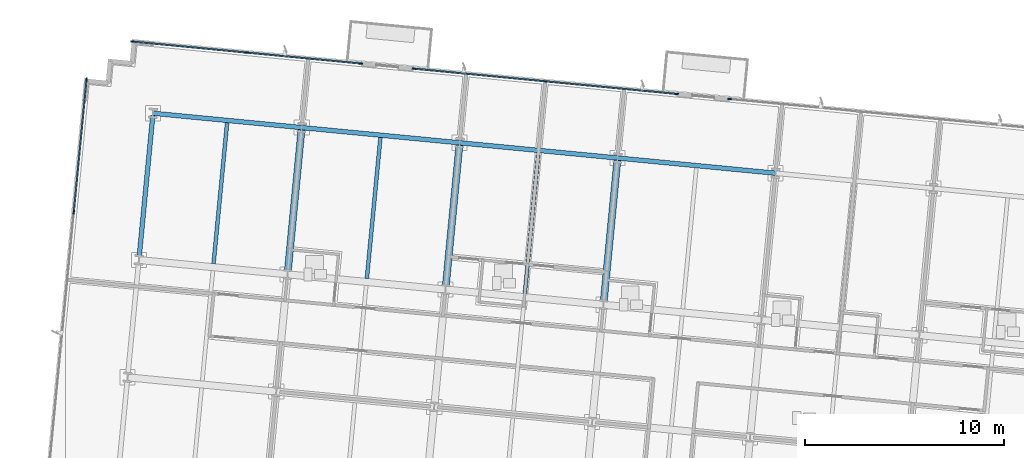
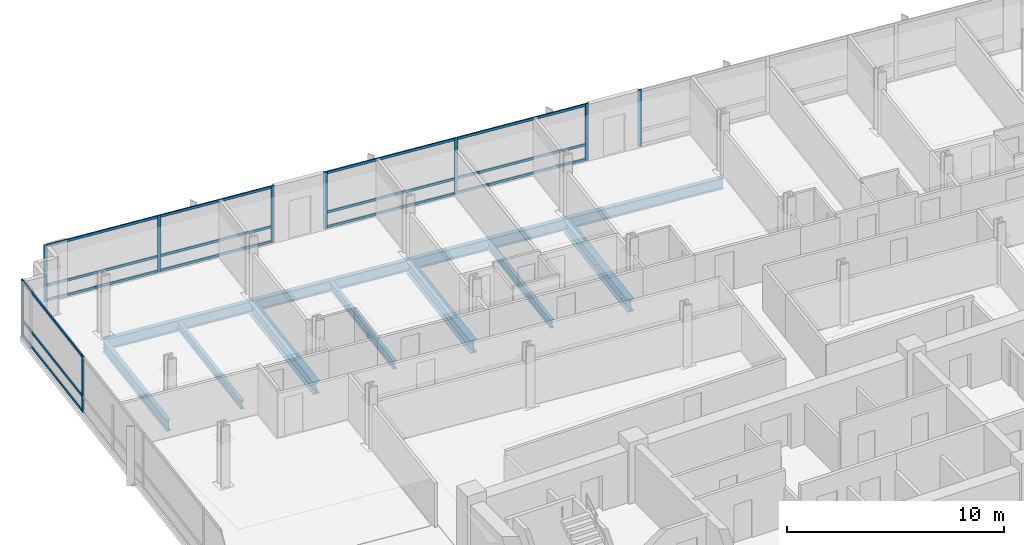
# One storey, part 7 of 17: 24 members, 11 beams, 4 elements without a shape of their own.
"""IFC4 building model written with IfcOpenShell, lengths in metres."""

from ifc_helpers import new_model, si_unit, direction, frame, origin, origin_2d, place, context, subcontext, project, spatial, rectangle, i_section, extrude, material, material_profile, profile_set, type_object, element, aggregate, save


model = new_model("IFC4")

# Units and contexts
model_context = context("Model", 3, precision=1e-05, world=origin(), true_north=direction((0.0, 1.0)))
body_context = subcontext(model_context, "Body", "Model", "MODEL_VIEW")
ifc_project = project(units=[si_unit("LENGTHUNIT", "METRE"), si_unit("AREAUNIT", "SQUARE_METRE"), si_unit("VOLUMEUNIT", "CUBIC_METRE"), si_unit("PLANEANGLEUNIT", "RADIAN"), si_unit("MASSUNIT", "GRAM", prefix="KILO")], contexts=[model_context])

# Site, building, storey
site_placement = place(None, origin())
site = spatial("IfcSite", under=ifc_project, at=site_placement, CompositionType="ELEMENT")
building_placement = place(site_placement, origin())
building = spatial("IfcBuilding", under=site, at=building_placement, Name="Solmavex Isthmus Hotel", CompositionType="ELEMENT")
storey_placement = place(building_placement, frame((0.0, 0.0, 146.25)))
storey = spatial("IfcBuildingStorey", under=building, at=storey_placement, Name="L39", CompositionType="ELEMENT", Elevation=146.25)

# Beams
ifc_material_1 = material(Name="Steel ASTM A992 Grade 50", Category="steel")
ifc_material_profile_1 = material_profile(ifc_material_1, i_section(OverallWidth=0.354736328125, OverallDepth=0.695556640625, WebThickness=0.015380859375, FlangeThickness=0.02490234375, FilletRadius=0.017822265625, at=origin_2d()), Name="W27X146")
ifc_profile_set_1 = profile_set([ifc_material_profile_1], Name="Steel ASTM A992 Grade 50")
beam_type_1 = type_object("IfcBeamType", Name="BM-BG-W27X146", PredefinedType="BEAM", material=ifc_profile_set_1)
beam_1_placement = place(storey_placement, frame((-15.254150390625, 13.07275390625, -0.607666015625), z_axis=(0.095839524498, 0.995396798038, 0.0), x_axis=(-0.995396798038, 0.095839524498, 0.0)))
element("IfcBeam", 1, at=beam_1_placement, inside=storey, type_object=beam_type_1, Name="Floor Beam L39-VG26", PredefinedType="BEAM", context=body_context, shape_type="SweptSolid", body=[
    extrude(i_section(OverallWidth=0.354736328125, OverallDepth=0.695556640625, WebThickness=0.015380859375, FlangeThickness=0.02490234375, FilletRadius=0.017822265625, at=origin_2d()), origin(), (0.0, 0.0, 1.0), 7.099609375),
])
beam_2_placement = place(storey_placement, frame((-7.3349609375, 12.310302734375, -0.607666015625), z_axis=(0.09587687835, 0.9953932008, 0.0), x_axis=(-0.9953932008, 0.09587687835, 0.0)))
element("IfcBeam", 2, at=beam_2_placement, inside=storey, type_object=beam_type_1, Name="Floor Beam L39-VG29", PredefinedType="BEAM", context=body_context, shape_type="SweptSolid", body=[
    extrude(i_section(OverallWidth=0.354736328125, OverallDepth=0.695556640625, WebThickness=0.015380859375, FlangeThickness=0.02490234375, FilletRadius=0.017822265625, at=origin_2d()), origin(), (0.0, 0.0, 1.0), 7.099365234375),
])
beam_3_placement = place(storey_placement, frame((0.58447265625, 11.547607421875, -0.607666015625), z_axis=(0.095839524498, 0.995396798038, 0.0), x_axis=(-0.995396798038, 0.095839524498, 0.0)))
element("IfcBeam", 3, at=beam_3_placement, inside=storey, type_object=beam_type_1, Name="Floor Beam L39-VG32", PredefinedType="BEAM", context=body_context, shape_type="SweptSolid", body=[
    extrude(i_section(OverallWidth=0.354736328125, OverallDepth=0.695556640625, WebThickness=0.015380859375, FlangeThickness=0.02490234375, FilletRadius=0.017822265625, at=origin_2d()), origin(), (0.0, 0.0, 1.0), 7.099609375),
])
ifc_material_profile_2 = material_profile(ifc_material_1, i_section(OverallWidth=0.1904296875, OverallDepth=0.456787109375, WebThickness=0.009033203125, FlangeThickness=0.014404296875, FilletRadius=0.0126953125, at=origin_2d()), Name="W18X50")
ifc_profile_set_2 = profile_set([ifc_material_profile_2], Name="Steel ASTM A992 Grade 50")
beam_type_2 = type_object("IfcBeamType", Name="BM-BJ-W18X50", PredefinedType="JOIST", material=ifc_profile_set_2)
for number, where, z_axis, x_axis, name in (
    (4, (-18.98095703125, 13.431640625, -0.488525390625), (0.095842805175, 0.99539648216, 0.0), (-0.99539648216, 0.095842805175, 0.0), "Secondary Floor Joist L39-J03"),
    (5, (-11.29443359375, 12.691650390625, -0.488525390625), (0.095842805175, 0.99539648216, 0.0), (-0.99539648216, 0.095842805175, 0.0), "Secondary Floor Joist L39-J06"),
    (6, (-3.375244140625, 11.928955078125, -0.488525390625), (0.09587687835, 0.9953932008, 0.0), (-0.9953932008, 0.09587687835, 0.0), "Secondary Floor Joist L39-J09"),
):
    element("IfcBeam", number, at=place(storey_placement, frame(where, z_axis=z_axis, x_axis=x_axis)), inside=storey, type_object=beam_type_2, Name=name, PredefinedType="JOIST", context=body_context, shape_type="SweptSolid", body=[
        extrude(i_section(OverallWidth=0.1904296875, OverallDepth=0.456787109375, WebThickness=0.009033203125, FlangeThickness=0.014404296875, FilletRadius=0.0126953125, at=origin_2d()), origin(), (0.0, 0.0, 1.0), 7.099365234375),
    ])
ifc_material_profile_3 = material_profile(ifc_material_1, i_section(OverallWidth=0.230224609375, OverallDepth=0.617431640625, WebThickness=0.01318359375, FlangeThickness=0.022216796875, FilletRadius=0.01513671875, at=origin_2d()), Name="W24X94")
ifc_profile_set_3 = profile_set([ifc_material_profile_3], Name="Steel ASTM A992 Grade 50")
beam_type_3 = type_object("IfcBeamType", Name="BM-SP-W24X94", PredefinedType="SPANDREL", material=ifc_profile_set_3)
beam_4_placement = place(storey_placement, frame((-22.016357421875, 20.971923828125, -0.56884765625), z_axis=(0.995395279593, -0.095855293875, 0.0), x_axis=(0.095855293875, 0.995395279593, 0.0)))
element("IfcBeam", 7, at=beam_4_placement, inside=storey, type_object=beam_type_3, Name="Floor Girder L39-UG15", PredefinedType="SPANDREL", context=body_context, shape_type="SweptSolid", body=[
    extrude(i_section(OverallWidth=0.230224609375, OverallDepth=0.617431640625, WebThickness=0.01318359375, FlangeThickness=0.022216796875, FilletRadius=0.01513671875, at=origin_2d()), origin(), (0.0, 0.0, 1.0), 7.488037109375),
])
for number, where, z_axis, x_axis, name in (
    (8, (-14.562744140625, 20.254150390625, -0.56884765625), (0.995397440011, -0.095832856685, 0.0), (0.095832856685, 0.995397440011, 0.0), "Floor Girder L39-UG16"),
    (9, (-6.643310546875, 19.49169921875, -0.56884765625), (0.995394512348, -0.095863260885, 0.0), (0.095863260885, 0.995394512348, 0.0), "Floor Girder L39-UG17"),
):
    element("IfcBeam", number, at=place(storey_placement, frame(where, z_axis=z_axis, x_axis=x_axis)), inside=storey, type_object=beam_type_3, Name=name, PredefinedType="SPANDREL", context=body_context, shape_type="SweptSolid", body=[
        extrude(i_section(OverallWidth=0.230224609375, OverallDepth=0.617431640625, WebThickness=0.01318359375, FlangeThickness=0.022216796875, FilletRadius=0.01513671875, at=origin_2d()), origin(), (0.0, 0.0, 1.0), 7.9560546875),
    ])
beam_5_placement = place(storey_placement, frame((1.276123046875, 18.72900390625, -0.56884765625), z_axis=(0.995397158178, -0.095835783981, 0.0), x_axis=(0.095835783981, 0.995397158178, 0.0)))
element("IfcBeam", 10, at=beam_5_placement, inside=storey, type_object=beam_type_3, Name="Floor Girder L39-UG18", PredefinedType="SPANDREL", context=body_context, shape_type="SweptSolid", body=[
    extrude(i_section(OverallWidth=0.230224609375, OverallDepth=0.617431640625, WebThickness=0.01318359375, FlangeThickness=0.022216796875, FilletRadius=0.01513671875, at=origin_2d()), origin(), (0.0, 0.0, 1.0), 7.955810546875),
])
beam_6_placement = place(storey_placement, frame((-22.707763671875, 13.79052734375, -0.56884765625), z_axis=(0.095842805175, 0.99539648216, 0.0), x_axis=(-0.99539648216, 0.095842805175, 0.0)))
element("IfcBeam", 11, at=beam_6_placement, inside=storey, type_object=beam_type_3, Name="Floor Beam L39-VG23", PredefinedType="SPANDREL", context=body_context, shape_type="SweptSolid", body=[
    extrude(i_section(OverallWidth=0.230224609375, OverallDepth=0.617431640625, WebThickness=0.01318359375, FlangeThickness=0.022216796875, FilletRadius=0.01513671875, at=origin_2d()), origin(), (0.0, 0.0, 1.0), 7.099365234375),
])

# Curtain wall, members
ifc_material_2 = material(Name="Aluminium alloy 6063-T6", Category="aluminium")
curtain_wall_type = type_object("IfcCurtainWallType", Name="CW-SYS-03", PredefinedType="NOTDEFINED", material=ifc_material_2)
curtain_wall_1_placement = place(storey_placement, origin())
curtain_wall_1 = element("IfcCurtainWall", 12, at=curtain_wall_1_placement, inside=storey, type_object=curtain_wall_type, Name="Stick Curtain Wall CWL-L39-N1", PredefinedType="NOTDEFINED")
ifc_material_profile_4 = material_profile(ifc_material_2, rectangle(XDim=0.070068359375, YDim=0.179931640625, at=origin_2d()), Name="CWM-70X180")
ifc_profile_set_4 = profile_set([ifc_material_profile_4], Name="Aluminium alloy 6063-T6")
member_type_1 = type_object("IfcMemberType", Name="CW-SYS-03-MUL", PredefinedType="MULLION", material=ifc_profile_set_4)
member_1_placement = place(storey_placement, frame((-23.04150390625, 24.566650390625, 0.0), z_axis=(0.0, 0.0, 1.0), x_axis=(0.095845521008, 0.995396220659, 0.0)))
member_1 = element("IfcMember", 13, at=member_1_placement, type_object=member_type_1, Name="CW-03 mullion 1", PredefinedType="MULLION", context=body_context, shape_type="SweptSolid", body=[
    extrude(rectangle(XDim=0.070068359375, YDim=0.179931640625, at=origin_2d()), origin(), (0.0, 0.0, 1.0), 3.18994140625),
])
member_2_placement = place(storey_placement, frame((-17.31982421875, 24.015869140625, 0.0), z_axis=(0.0, 0.0, 1.0), x_axis=(0.095845521008, 0.995396220659, 0.0)))
member_2 = element("IfcMember", 14, at=member_2_placement, type_object=member_type_1, Name="CW-03 mullion 2", PredefinedType="MULLION", context=body_context, shape_type="SweptSolid", body=[
    extrude(rectangle(XDim=0.070068359375, YDim=0.179931640625, at=origin_2d()), origin(), (0.0, 0.0, 1.0), 3.18994140625),
])
member_3_placement = place(storey_placement, frame((-11.598388671875, 23.46484375, 0.0), z_axis=(0.0, 0.0, 1.0), x_axis=(0.095845521008, 0.995396220659, 0.0)))
member_3 = element("IfcMember", 15, at=member_3_placement, type_object=member_type_1, Name="CW-03 mullion 3", PredefinedType="MULLION", context=body_context, shape_type="SweptSolid", body=[
    extrude(rectangle(XDim=0.070068359375, YDim=0.179931640625, at=origin_2d()), origin(), (0.0, 0.0, 1.0), 3.18994140625),
])

curtain_wall_2_placement = place(storey_placement, origin())
curtain_wall_2 = element("IfcCurtainWall", 16, at=curtain_wall_2_placement, inside=storey, type_object=curtain_wall_type, Name="Stick Curtain Wall CWL-L39-N2", PredefinedType="NOTDEFINED")
member_4_placement = place(storey_placement, frame((-8.940673828125, 23.208984375, 0.0), z_axis=(0.0, 0.0, 1.0), x_axis=(0.095845138178, 0.995396257521, 0.0)))
member_4 = element("IfcMember", 17, at=member_4_placement, type_object=member_type_1, Name="CW-03 mullion 1", PredefinedType="MULLION", context=body_context, shape_type="SweptSolid", body=[
    extrude(rectangle(XDim=0.070068359375, YDim=0.179931640625, at=origin_2d()), origin(), (0.0, 0.0, 1.0), 3.18994140625),
])
member_5_placement = place(storey_placement, frame((-2.35009765625, 22.574462890625, 0.0), z_axis=(0.0, 0.0, 1.0), x_axis=(0.095845138178, 0.995396257521, 0.0)))
member_5 = element("IfcMember", 18, at=member_5_placement, type_object=member_type_1, Name="CW-03 mullion 2", PredefinedType="MULLION", context=body_context, shape_type="SweptSolid", body=[
    extrude(rectangle(XDim=0.070068359375, YDim=0.179931640625, at=origin_2d()), origin(), (0.0, 0.0, 1.0), 3.18994140625),
])
member_6_placement = place(storey_placement, frame((4.240478515625, 21.939697265625, 0.0), z_axis=(0.0, 0.0, 1.0), x_axis=(0.095845138178, 0.995396257521, 0.0)))
member_6 = element("IfcMember", 19, at=member_6_placement, type_object=member_type_1, Name="CW-03 mullion 3", PredefinedType="MULLION", context=body_context, shape_type="SweptSolid", body=[
    extrude(rectangle(XDim=0.070068359375, YDim=0.179931640625, at=origin_2d()), origin(), (0.0, 0.0, 1.0), 3.18994140625),
])

# Curtain wall, member
curtain_wall_3_placement = place(storey_placement, origin())
curtain_wall_3 = element("IfcCurtainWall", 20, at=curtain_wall_3_placement, inside=storey, type_object=curtain_wall_type, Name="Stick Curtain Wall CWL-L39-N3", PredefinedType="NOTDEFINED")
member_7_placement = place(storey_placement, frame((6.898193359375, 21.683837890625, 0.0), z_axis=(0.0, 0.0, 1.0), x_axis=(0.095845735304, 0.995396200025, 0.0)))
member_7 = element("IfcMember", 21, at=member_7_placement, type_object=member_type_1, Name="CW-03 mullion 1", PredefinedType="MULLION", context=body_context, shape_type="SweptSolid", body=[
    extrude(rectangle(XDim=0.070068359375, YDim=0.179931640625, at=origin_2d()), origin(), (0.0, 0.0, 1.0), 3.18994140625),
])
aggregate(curtain_wall_3, [member_7])

# Curtain wall, members
curtain_wall_4_placement = place(storey_placement, origin())
curtain_wall_4 = element("IfcCurtainWall", 22, at=curtain_wall_4_placement, inside=storey, type_object=curtain_wall_type, Name="Stick Curtain Wall CWL-L39-W1", PredefinedType="NOTDEFINED")
member_8_placement = place(storey_placement, frame((-25.990234375, 16.010009765625, 0.0), z_axis=(0.0, 0.0, 1.0), x_axis=(-0.995396190038, 0.09584583902, 0.0)))
member_8 = element("IfcMember", 23, at=member_8_placement, type_object=member_type_1, Name="CW-03 mullion 5", PredefinedType="MULLION", context=body_context, shape_type="SweptSolid", body=[
    extrude(rectangle(XDim=0.070068359375, YDim=0.179931640625, at=origin_2d()), origin(), (0.0, 0.0, 1.0), 3.18994140625),
])
member_9_placement = place(storey_placement, frame((-25.349365234375, 22.6640625, 0.0), z_axis=(0.0, 0.0, 1.0), x_axis=(-0.995396190038, 0.09584583902, 0.0)))
member_9 = element("IfcMember", 24, at=member_9_placement, type_object=member_type_1, Name="CW-03 mullion 6", PredefinedType="MULLION", context=body_context, shape_type="SweptSolid", body=[
    extrude(rectangle(XDim=0.070068359375, YDim=0.179931640625, at=origin_2d()), origin(), (0.0, 0.0, 1.0), 3.18994140625),
])

# Member
ifc_material_profile_5 = material_profile(ifc_material_2, rectangle(XDim=0.070068359375, YDim=0.139892578125, at=origin_2d()), Name="CWT-70X140")
ifc_profile_set_5 = profile_set([ifc_material_profile_5], Name="Aluminium alloy 6063-T6")
member_type_2 = type_object("IfcMemberType", Name="CW-SYS-03-TRN", PredefinedType="USERDEFINED", material=ifc_profile_set_5)
member_10_placement = place(storey_placement, frame((-23.006591796875, 24.563232421875, 0.070068359375), z_axis=(0.995396573568, -0.095841855831, 0.0), x_axis=(0.095841855831, 0.995396573568, 0.0)))
member_10 = element("IfcMember", 25, at=member_10_placement, type_object=member_type_2, Name="CW-03 transom 1.1", ObjectType="TRANSOM", PredefinedType="USERDEFINED", context=body_context, shape_type="SweptSolid", body=[
    extrude(rectangle(XDim=0.070068359375, YDim=0.139892578125, at=origin_2d()), origin(), (0.0, 0.0, 1.0), 5.677978515625),
])

member_11_placement = place(storey_placement, frame((-23.006591796875, 24.563232421875, 0.89990234375), z_axis=(0.995396573568, -0.095841855831, 0.0), x_axis=(0.095841855831, 0.995396573568, 0.0)))
member_11 = element("IfcMember", 26, at=member_11_placement, type_object=member_type_2, Name="CW-03 transom 1.2", ObjectType="TRANSOM", PredefinedType="USERDEFINED", context=body_context, shape_type="SweptSolid", body=[
    extrude(rectangle(XDim=0.070068359375, YDim=0.139892578125, at=origin_2d()), origin(), (0.0, 0.0, 1.0), 5.677978515625),
])

member_12_placement = place(storey_placement, frame((-23.006591796875, 24.563232421875, 3.1201171875), z_axis=(0.995396573568, -0.095841855831, 0.0), x_axis=(0.095841855831, 0.995396573568, 0.0)))
member_12 = element("IfcMember", 27, at=member_12_placement, type_object=member_type_2, Name="CW-03 transom 1.3", ObjectType="TRANSOM", PredefinedType="USERDEFINED", context=body_context, shape_type="SweptSolid", body=[
    extrude(rectangle(XDim=0.070068359375, YDim=0.139892578125, at=origin_2d()), origin(), (0.0, 0.0, 1.0), 5.677978515625),
])

member_13_placement = place(storey_placement, frame((-17.28515625, 24.012451171875, 0.070068359375), z_axis=(0.995396968505, -0.095837753998, 0.0), x_axis=(0.095837753998, 0.995396968505, 0.0)))
member_13 = element("IfcMember", 28, at=member_13_placement, type_object=member_type_2, Name="CW-03 transom 2.1", ObjectType="TRANSOM", PredefinedType="USERDEFINED", context=body_context, shape_type="SweptSolid", body=[
    extrude(rectangle(XDim=0.070068359375, YDim=0.139892578125, at=origin_2d()), origin(), (0.0, 0.0, 1.0), 5.67822265625),
])

member_14_placement = place(storey_placement, frame((-17.28515625, 24.012451171875, 0.89990234375), z_axis=(0.995396968505, -0.095837753998, 0.0), x_axis=(0.095837753998, 0.995396968505, 0.0)))
member_14 = element("IfcMember", 29, at=member_14_placement, type_object=member_type_2, Name="CW-03 transom 2.2", ObjectType="TRANSOM", PredefinedType="USERDEFINED", context=body_context, shape_type="SweptSolid", body=[
    extrude(rectangle(XDim=0.070068359375, YDim=0.139892578125, at=origin_2d()), origin(), (0.0, 0.0, 1.0), 5.67822265625),
])

member_15_placement = place(storey_placement, frame((-17.28515625, 24.012451171875, 3.1201171875), z_axis=(0.995396968505, -0.095837753998, 0.0), x_axis=(0.095837753998, 0.995396968505, 0.0)))
member_15 = element("IfcMember", 30, at=member_15_placement, type_object=member_type_2, Name="CW-03 transom 2.3", ObjectType="TRANSOM", PredefinedType="USERDEFINED", context=body_context, shape_type="SweptSolid", body=[
    extrude(rectangle(XDim=0.070068359375, YDim=0.139892578125, at=origin_2d()), origin(), (0.0, 0.0, 1.0), 5.67822265625),
])

aggregate(curtain_wall_1, [member_1, member_2, member_3, member_10, member_11, member_12, member_13, member_14, member_15])

member_16_placement = place(storey_placement, frame((-8.90576171875, 23.20556640625, 0.070068359375), z_axis=(0.995395431006, -0.095853721538, 0.0), x_axis=(0.095853721538, 0.995395431006, 0.0)))
member_16 = element("IfcMember", 31, at=member_16_placement, type_object=member_type_2, Name="CW-03 transom 1.1", ObjectType="TRANSOM", PredefinedType="USERDEFINED", context=body_context, shape_type="SweptSolid", body=[
    extrude(rectangle(XDim=0.070068359375, YDim=0.139892578125, at=origin_2d()), origin(), (0.0, 0.0, 1.0), 6.551025390625),
])

member_17_placement = place(storey_placement, frame((-8.90576171875, 23.20556640625, 0.89990234375), z_axis=(0.995395431006, -0.095853721538, 0.0), x_axis=(0.095853721538, 0.995395431006, 0.0)))
member_17 = element("IfcMember", 32, at=member_17_placement, type_object=member_type_2, Name="CW-03 transom 1.2", ObjectType="TRANSOM", PredefinedType="USERDEFINED", context=body_context, shape_type="SweptSolid", body=[
    extrude(rectangle(XDim=0.070068359375, YDim=0.139892578125, at=origin_2d()), origin(), (0.0, 0.0, 1.0), 6.551025390625),
])

member_18_placement = place(storey_placement, frame((-8.90576171875, 23.20556640625, 3.1201171875), z_axis=(0.995395431006, -0.095853721538, 0.0), x_axis=(0.095853721538, 0.995395431006, 0.0)))
member_18 = element("IfcMember", 33, at=member_18_placement, type_object=member_type_2, Name="CW-03 transom 1.3", ObjectType="TRANSOM", PredefinedType="USERDEFINED", context=body_context, shape_type="SweptSolid", body=[
    extrude(rectangle(XDim=0.070068359375, YDim=0.139892578125, at=origin_2d()), origin(), (0.0, 0.0, 1.0), 6.551025390625),
])

member_19_placement = place(storey_placement, frame((-2.315185546875, 22.571044921875, 0.070068359375), z_axis=(0.995395431006, -0.095853721538, 0.0), x_axis=(0.095853721538, 0.995395431006, 0.0)))
member_19 = element("IfcMember", 34, at=member_19_placement, type_object=member_type_2, Name="CW-03 transom 2.1", ObjectType="TRANSOM", PredefinedType="USERDEFINED", context=body_context, shape_type="SweptSolid", body=[
    extrude(rectangle(XDim=0.070068359375, YDim=0.139892578125, at=origin_2d()), origin(), (0.0, 0.0, 1.0), 6.551025390625),
])

member_20_placement = place(storey_placement, frame((-2.315185546875, 22.571044921875, 0.89990234375), z_axis=(0.995395431006, -0.095853721538, 0.0), x_axis=(0.095853721538, 0.995395431006, 0.0)))
member_20 = element("IfcMember", 35, at=member_20_placement, type_object=member_type_2, Name="CW-03 transom 2.2", ObjectType="TRANSOM", PredefinedType="USERDEFINED", context=body_context, shape_type="SweptSolid", body=[
    extrude(rectangle(XDim=0.070068359375, YDim=0.139892578125, at=origin_2d()), origin(), (0.0, 0.0, 1.0), 6.551025390625),
])

member_21_placement = place(storey_placement, frame((-2.315185546875, 22.571044921875, 3.1201171875), z_axis=(0.995395431006, -0.095853721538, 0.0), x_axis=(0.095853721538, 0.995395431006, 0.0)))
member_21 = element("IfcMember", 36, at=member_21_placement, type_object=member_type_2, Name="CW-03 transom 2.3", ObjectType="TRANSOM", PredefinedType="USERDEFINED", context=body_context, shape_type="SweptSolid", body=[
    extrude(rectangle(XDim=0.070068359375, YDim=0.139892578125, at=origin_2d()), origin(), (0.0, 0.0, 1.0), 6.551025390625),
])

aggregate(curtain_wall_2, [member_4, member_5, member_6, member_16, member_17, member_18, member_19, member_20, member_21])

member_22_placement = place(storey_placement, frame((-25.98681640625, 16.044677734375, 0.070068359375), z_axis=(0.095845316679, 0.995396240334, 0.0), x_axis=(-0.995396240334, 0.095845316679, 0.0)))
member_22 = element("IfcMember", 37, at=member_22_placement, type_object=member_type_2, Name="CW-03 transom 5.1", ObjectType="TRANSOM", PredefinedType="USERDEFINED", context=body_context, shape_type="SweptSolid", body=[
    extrude(rectangle(XDim=0.070068359375, YDim=0.139892578125, at=origin_2d()), origin(), (0.0, 0.0, 1.0), 6.615234375),
])

member_23_placement = place(storey_placement, frame((-25.98681640625, 16.044677734375, 0.89990234375), z_axis=(0.095845316679, 0.995396240334, 0.0), x_axis=(-0.995396240334, 0.095845316679, 0.0)))
member_23 = element("IfcMember", 38, at=member_23_placement, type_object=member_type_2, Name="CW-03 transom 5.2", ObjectType="TRANSOM", PredefinedType="USERDEFINED", context=body_context, shape_type="SweptSolid", body=[
    extrude(rectangle(XDim=0.070068359375, YDim=0.139892578125, at=origin_2d()), origin(), (0.0, 0.0, 1.0), 6.615234375),
])

member_24_placement = place(storey_placement, frame((-25.98681640625, 16.044677734375, 3.1201171875), z_axis=(0.095845316679, 0.995396240334, 0.0), x_axis=(-0.995396240334, 0.095845316679, 0.0)))
member_24 = element("IfcMember", 39, at=member_24_placement, type_object=member_type_2, Name="CW-03 transom 5.3", ObjectType="TRANSOM", PredefinedType="USERDEFINED", context=body_context, shape_type="SweptSolid", body=[
    extrude(rectangle(XDim=0.070068359375, YDim=0.139892578125, at=origin_2d()), origin(), (0.0, 0.0, 1.0), 6.615234375),
])

aggregate(curtain_wall_4, [member_8, member_9, member_22, member_23, member_24])

save(model, "model.ifc")
